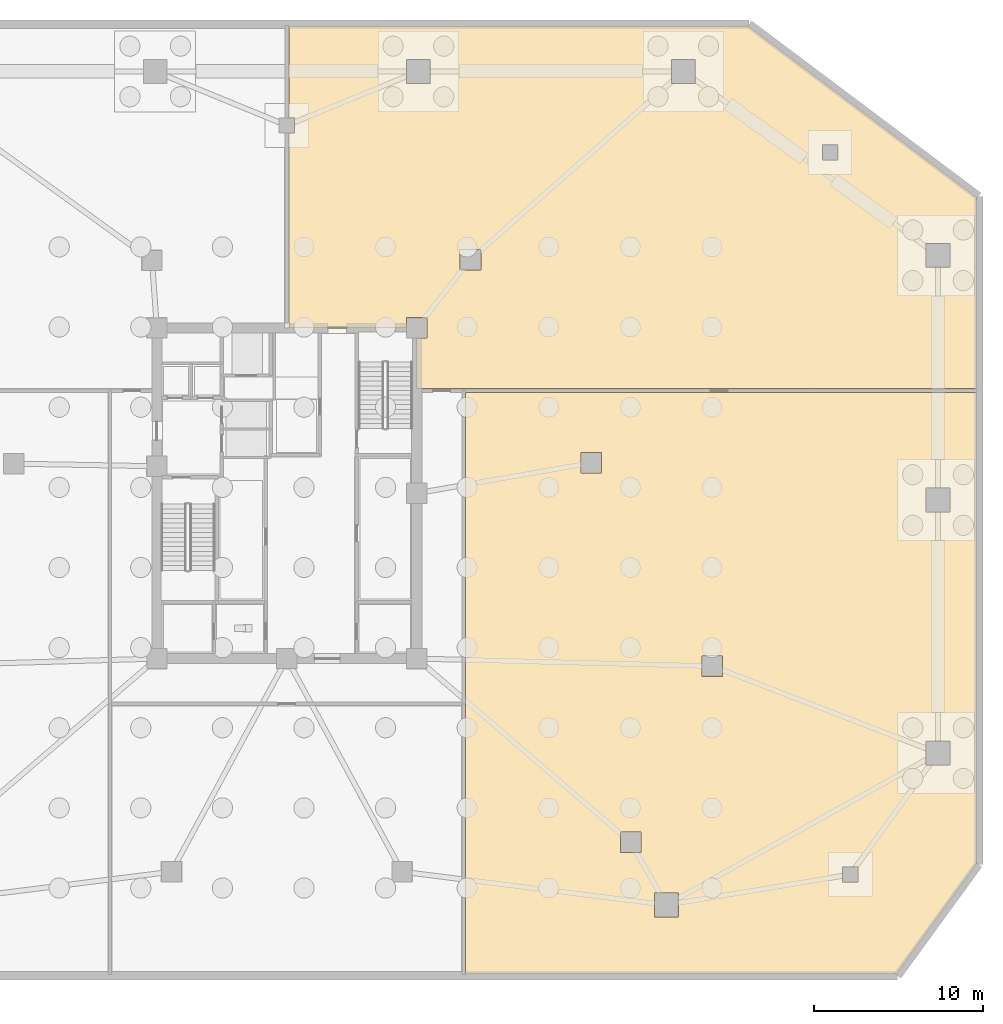
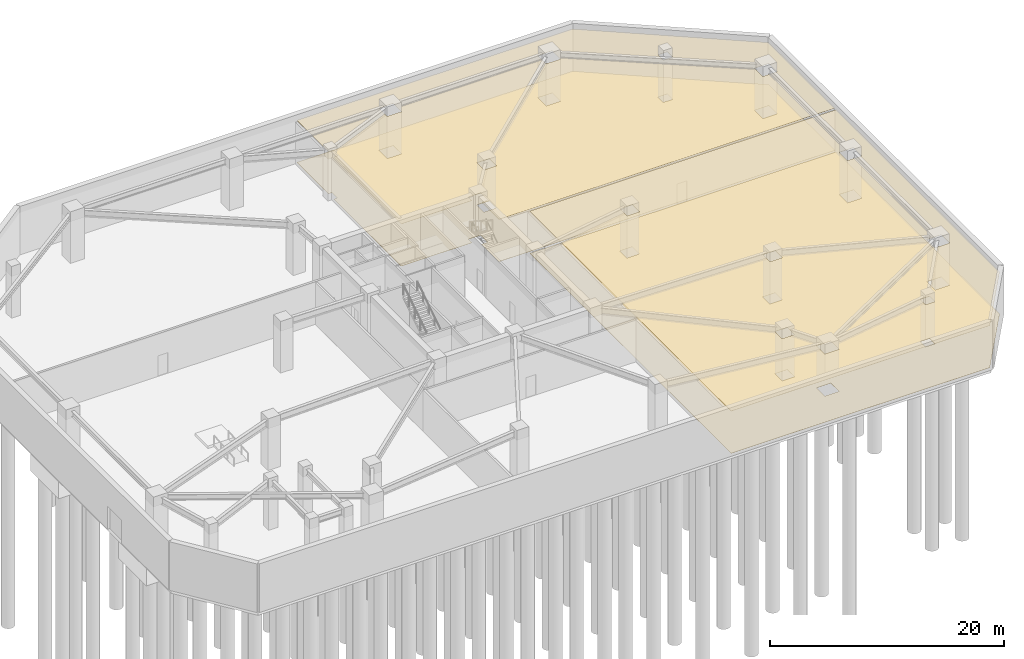
# One storey, part 10 of 12: 4 coverings.
"""IFC4 building model written with IfcOpenShell, lengths in metres."""

from ifc_helpers import new_model, si_unit, direction, frame, origin, place, context, subcontext, project, spatial, polyline, outline, extrude, material, layer, layer_set, type_object, element, save


model = new_model("IFC4")

# Units and contexts
model_context = context("Model", 3, precision=1e-05, world=origin(), true_north=direction((0.0, 1.0)))
body_context = subcontext(model_context, "Body", "Model", "MODEL_VIEW")
ifc_project = project(units=[si_unit("LENGTHUNIT", "METRE"), si_unit("AREAUNIT", "SQUARE_METRE"), si_unit("VOLUMEUNIT", "CUBIC_METRE"), si_unit("PLANEANGLEUNIT", "RADIAN"), si_unit("MASSUNIT", "GRAM", prefix="KILO")], contexts=[model_context])

# Site, building, storey
site_placement = place(None, origin())
site = spatial("IfcSite", under=ifc_project, at=site_placement, CompositionType="ELEMENT")
building_placement = place(site_placement, origin())
building = spatial("IfcBuilding", under=site, at=building_placement, Name="Savorim Split Tower", CompositionType="ELEMENT")
storey_placement = place(building_placement, frame((0.0, 0.0, -5.39990234375)))
storey = spatial("IfcBuildingStorey", under=building, at=storey_placement, Name="B01", CompositionType="ELEMENT", Elevation=-5.39990234375)

# Coverings
ifc_material_1 = material(Name="Mineral Fibre Acoustic Ceiling")
ifc_layer_1 = layer(ifc_material_1, 0.02490234375)
ifc_layer_set_1 = layer_set([ifc_layer_1], Name="COV-CEIL-25")
covering_type_1 = type_object("IfcCoveringType", Name="COV-CEIL-25", PredefinedType="CEILING", material=ifc_layer_set_1)
covering_1_placement = place(storey_placement, frame((0.0, 0.0, 4.39990234375)))
element("IfcCovering", 1, at=covering_1_placement, inside=storey, type_object=covering_type_1, Name="B01 Chiller Plant Room Acoustic Ceiling", PredefinedType="CEILING", context=body_context, shape_type="SweptSolid", body=[
    extrude(outline(polyline([(10.60009765625, -28.080078125), (36.138916015625, -28.080078125), (40.8798828125, -21.56103515625), (40.8798828125, 6.360107421875), (10.60009765625, 6.360107421875), (10.60009765625, -12.080078125), (10.60009765625, -28.080078125)]), holes=[polyline([(37.889892578125, -14.2900390625), (37.889892578125, -15.7099609375), (39.31005859375, -15.7099609375), (39.31005859375, -14.2900390625), (37.889892578125, -14.2900390625)]), polyline([(37.889892578125, 0.7099609375), (37.889892578125, -0.7099609375), (39.31005859375, -0.7099609375), (39.31005859375, 0.7099609375), (37.889892578125, 0.7099609375)]), polyline([(21.7900390625, -24.7099609375), (23.2099609375, -24.7099609375), (23.2099609375, -23.2900390625), (21.7900390625, -23.2900390625), (21.7900390625, -24.7099609375)]), polyline([(19.774169921875, -20.90185546875), (20.994140625, -20.90185546875), (20.994140625, -19.681884765625), (19.774169921875, -19.681884765625), (19.774169921875, -20.90185546875)]), polyline([(25.823486328125, -10.45556640625), (25.823486328125, -9.235595703125), (24.603515625, -9.235595703125), (24.603515625, -10.45556640625), (25.823486328125, -10.45556640625)]), polyline([(18.659423828125, 2.8125), (17.439453125, 2.8125), (17.439453125, 1.592529296875), (18.659423828125, 1.592529296875), (18.659423828125, 2.8125)]), polyline([(32.93994140625, -21.739990234375), (32.93994140625, -22.659912109375), (33.860107421875, -22.659912109375), (33.860107421875, -21.739990234375), (32.93994140625, -21.739990234375)])]), origin(), (0.0, 0.0, 1.0), 0.02490234375),
])
covering_2_placement = place(storey_placement, frame((0.0, 0.0, 4.39990234375)))
element("IfcCovering", 2, at=covering_2_placement, inside=storey, type_object=covering_type_1, Name="B01 HV Switchgear Plant Room Acoustic Ceiling", PredefinedType="CEILING", context=body_context, shape_type="SweptSolid", body=[
    extrude(outline(polyline([(40.8798828125, 6.60009765625), (40.8798828125, 17.93994140625), (27.360107421875, 28.080078125), (0.1201171875, 28.080078125), (0.1201171875, 22.659912109375), (0.4599609375, 22.659912109375), (0.4599609375, 21.739990234375), (0.1201171875, 21.739990234375), (0.1201171875, 10.199951171875), (7.090087890625, 10.199951171875), (7.090087890625, 10.81005859375), (8.31005859375, 10.81005859375), (8.31005859375, 9.590087890625), (7.699951171875, 9.590087890625), (7.699951171875, 6.60009765625), (40.8798828125, 6.60009765625)]), holes=[polyline([(37.889892578125, 13.7900390625), (39.31005859375, 13.7900390625), (39.31005859375, 15.2099609375), (37.889892578125, 15.2099609375), (37.889892578125, 13.7900390625)]), polyline([(22.7900390625, 24.68994140625), (24.2099609375, 24.68994140625), (24.2099609375, 26.110107421875), (22.7900390625, 26.110107421875), (22.7900390625, 24.68994140625)]), polyline([(7.090087890625, 24.68994140625), (8.510009765625, 24.68994140625), (8.510009765625, 26.110107421875), (7.090087890625, 26.110107421875), (7.090087890625, 24.68994140625)]), polyline([(10.275390625, 14.860595703125), (10.275390625, 13.640380859375), (11.49560546875, 13.640380859375), (11.49560546875, 14.860595703125), (10.275390625, 14.860595703125)]), polyline([(31.739990234375, 20.139892578125), (32.659912109375, 20.139892578125), (32.659912109375, 21.06005859375), (31.739990234375, 21.06005859375), (31.739990234375, 20.139892578125)])]), origin(), (0.0, 0.0, 1.0), 0.02490234375),
])
ifc_material_2 = material(Name="Porcelain Stoneware Flooring", Category="masonry")
ifc_layer_2 = layer(ifc_material_2, 0.02001953125)
ifc_layer_set_2 = layer_set([ifc_layer_2], Name="COV-FLOR-20")
covering_type_2 = type_object("IfcCoveringType", Name="COV-FLOR-20", PredefinedType="FLOORING", material=ifc_layer_set_2)
covering_3_placement = place(storey_placement, origin())
element("IfcCovering", 3, at=covering_3_placement, inside=storey, type_object=covering_type_2, Name="B01 Chiller Plant Room Porcelain Flooring", PredefinedType="FLOORING", context=body_context, shape_type="SweptSolid", body=[
    extrude(outline(polyline([(10.60009765625, -28.080078125), (36.138916015625, -28.080078125), (40.8798828125, -21.56103515625), (40.8798828125, 6.360107421875), (10.60009765625, 6.360107421875), (10.60009765625, -12.080078125), (10.60009765625, -28.080078125)]), holes=[polyline([(37.889892578125, -14.2900390625), (37.889892578125, -15.7099609375), (39.31005859375, -15.7099609375), (39.31005859375, -14.2900390625), (37.889892578125, -14.2900390625)]), polyline([(37.889892578125, 0.7099609375), (37.889892578125, -0.7099609375), (39.31005859375, -0.7099609375), (39.31005859375, 0.7099609375), (37.889892578125, 0.7099609375)]), polyline([(21.7900390625, -24.7099609375), (23.2099609375, -24.7099609375), (23.2099609375, -23.2900390625), (21.7900390625, -23.2900390625), (21.7900390625, -24.7099609375)]), polyline([(19.774169921875, -20.90185546875), (20.994140625, -20.90185546875), (20.994140625, -19.681884765625), (19.774169921875, -19.681884765625), (19.774169921875, -20.90185546875)]), polyline([(25.823486328125, -10.45556640625), (25.823486328125, -9.235595703125), (24.603515625, -9.235595703125), (24.603515625, -10.45556640625), (25.823486328125, -10.45556640625)]), polyline([(18.659423828125, 2.8125), (17.439453125, 2.8125), (17.439453125, 1.592529296875), (18.659423828125, 1.592529296875), (18.659423828125, 2.8125)]), polyline([(32.93994140625, -21.739990234375), (32.93994140625, -22.659912109375), (33.860107421875, -22.659912109375), (33.860107421875, -21.739990234375), (32.93994140625, -21.739990234375)])]), origin(), (0.0, 0.0, 1.0), 0.02001953125),
])
covering_4_placement = place(storey_placement, origin())
element("IfcCovering", 4, at=covering_4_placement, inside=storey, type_object=covering_type_2, Name="B01 HV Switchgear Plant Room Porcelain Flooring", PredefinedType="FLOORING", context=body_context, shape_type="SweptSolid", body=[
    extrude(outline(polyline([(40.8798828125, 6.60009765625), (40.8798828125, 17.93994140625), (27.360107421875, 28.080078125), (0.1201171875, 28.080078125), (0.1201171875, 22.659912109375), (0.4599609375, 22.659912109375), (0.4599609375, 21.739990234375), (0.1201171875, 21.739990234375), (0.1201171875, 10.199951171875), (7.090087890625, 10.199951171875), (7.090087890625, 10.81005859375), (8.31005859375, 10.81005859375), (8.31005859375, 9.590087890625), (7.699951171875, 9.590087890625), (7.699951171875, 6.60009765625), (40.8798828125, 6.60009765625)]), holes=[polyline([(37.889892578125, 13.7900390625), (39.31005859375, 13.7900390625), (39.31005859375, 15.2099609375), (37.889892578125, 15.2099609375), (37.889892578125, 13.7900390625)]), polyline([(22.7900390625, 24.68994140625), (24.2099609375, 24.68994140625), (24.2099609375, 26.110107421875), (22.7900390625, 26.110107421875), (22.7900390625, 24.68994140625)]), polyline([(7.090087890625, 24.68994140625), (8.510009765625, 24.68994140625), (8.510009765625, 26.110107421875), (7.090087890625, 26.110107421875), (7.090087890625, 24.68994140625)]), polyline([(10.275390625, 14.860595703125), (10.275390625, 13.640380859375), (11.49560546875, 13.640380859375), (11.49560546875, 14.860595703125), (10.275390625, 14.860595703125)]), polyline([(31.739990234375, 20.139892578125), (32.659912109375, 20.139892578125), (32.659912109375, 21.06005859375), (31.739990234375, 21.06005859375), (31.739990234375, 20.139892578125)])]), origin(), (0.0, 0.0, 1.0), 0.02001953125),
])

save(model, "model.ifc")
